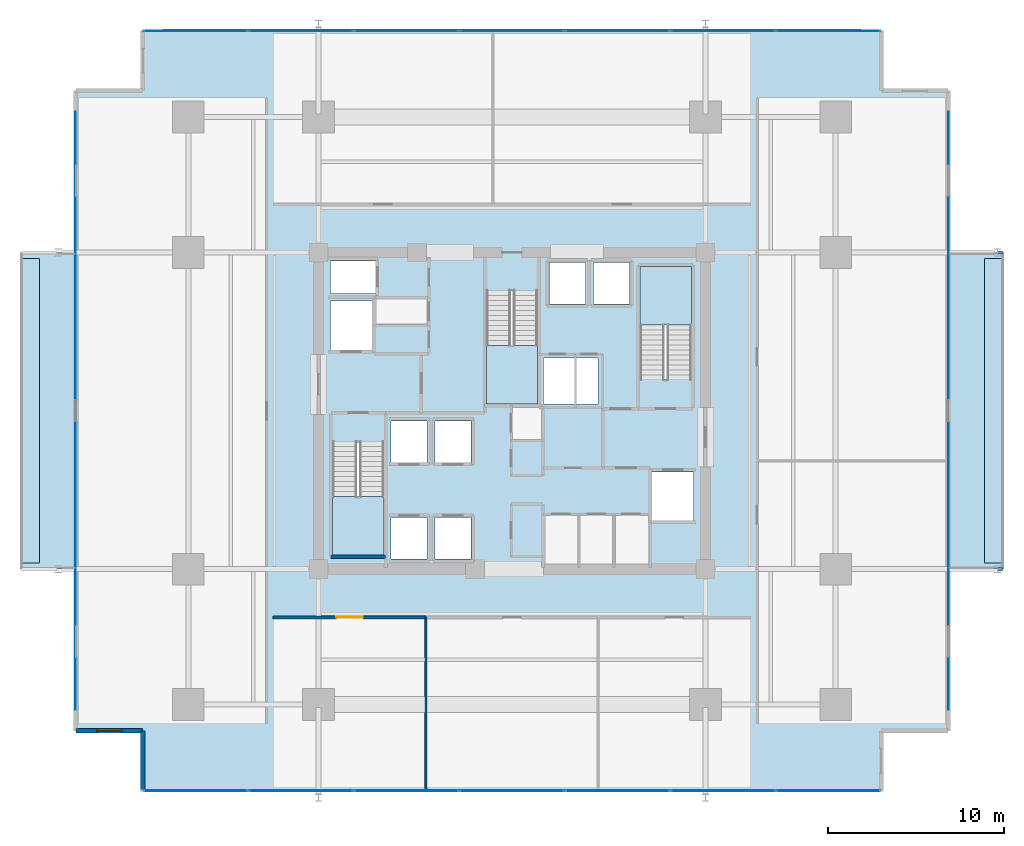
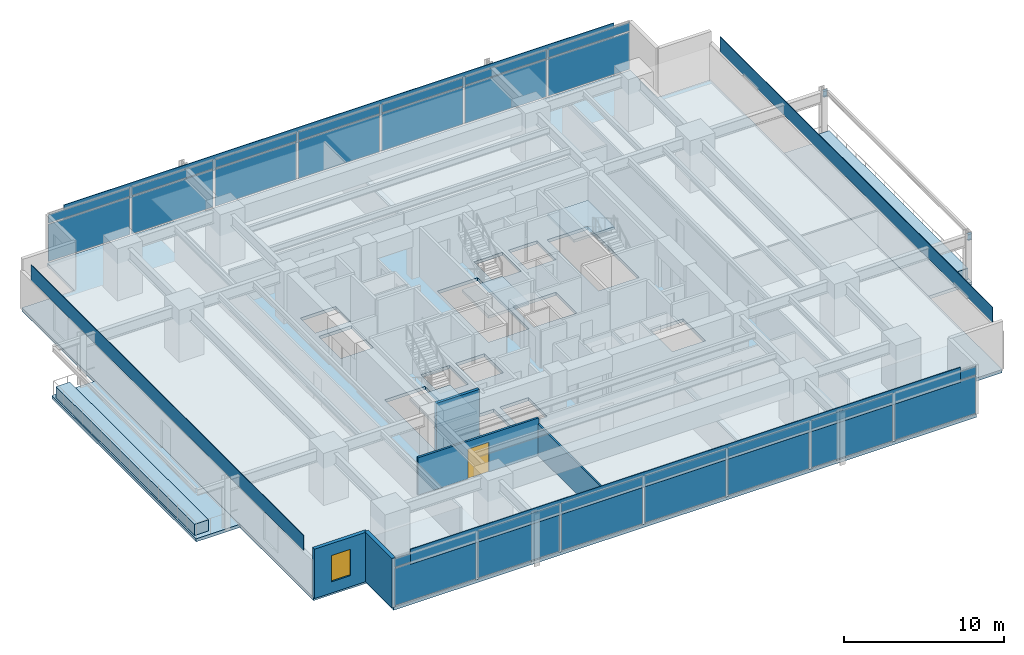
# One storey, part 13 of 21: 32 plates, 8 slabs, 5 walls, 2 beams, 1 door, 1 window, 2 openings, 5 elements without a shape of their own.
"""IFC4 building model written with IfcOpenShell, lengths in metres."""

from ifc_helpers import new_model, si_unit, direction, frame, frame_2d, origin, origin_2d, place, context, subcontext, project, spatial, polyline, rectangle, i_section, outline, extrude, material, layer, layer_set, material_profile, profile_set, type_object, element, fill, aggregate, save


model = new_model("IFC4")

# Units and contexts
model_context = context("Model", 3, precision=1e-05, world=origin(), true_north=direction((0.0, 1.0)))
body_context = subcontext(model_context, "Body", "Model", "MODEL_VIEW")
ifc_project = project(units=[si_unit("LENGTHUNIT", "METRE"), si_unit("AREAUNIT", "SQUARE_METRE"), si_unit("VOLUMEUNIT", "CUBIC_METRE"), si_unit("PLANEANGLEUNIT", "RADIAN"), si_unit("MASSUNIT", "GRAM", prefix="KILO")], contexts=[model_context])

# Site, building, storey
site_placement = place(None, origin())
site = spatial("IfcSite", under=ifc_project, at=site_placement, CompositionType="ELEMENT")
building_placement = place(site_placement, origin())
building = spatial("IfcBuilding", under=site, at=building_placement, Name="Kovane Verandah Tower", CompositionType="ELEMENT")
storey_placement = place(building_placement, frame((0.0, 0.0, 27.60009765625)))
storey = spatial("IfcBuildingStorey", under=building, at=storey_placement, Name="L05", CompositionType="ELEMENT", Elevation=27.60009765625)

# Beams
ifc_material_1 = material(Name="Steel S355", Category="steel")
ifc_material_profile = material_profile(ifc_material_1, i_section(OverallWidth=0.19287109375, OverallDepth=0.46728515625, WebThickness=0.011474609375, FlangeThickness=0.01953125, FilletRadius=0.01025390625, at=origin_2d()), Name="UB457x191x98")
ifc_profile_set = profile_set([ifc_material_profile], Name="Steel S355")
beam_type = type_object("IfcBeamType", Name="JST-UB457x98", PredefinedType="JOIST", material=ifc_profile_set)
for number, where, z_axis, x_axis, name in (
    (1, (67.60009765625, 18.5, 3.5263671875), (1.0, 0.0, 0.0), (0.0, 1.0, 0.0), "L05 East Planter Girder 1"),
    (2, (67.60009765625, 36.5, 3.5263671875), (1.0, 0.0, 0.0), (0.0, 1.0, 0.0), "L05 East Planter Girder 2"),
):
    element("IfcBeam", number, at=place(storey_placement, frame(where, z_axis=z_axis, x_axis=x_axis)), inside=storey, type_object=beam_type, Name=name, PredefinedType="JOIST", context=body_context, shape_type="SweptSolid", body=[
        extrude(i_section(OverallWidth=0.19287109375, OverallDepth=0.46728515625, WebThickness=0.011474609375, FlangeThickness=0.01953125, FilletRadius=0.01025390625, at=origin_2d()), origin(), (0.0, 0.0, 1.0), 0.28564453125),
    ])

# Curtain wall, plates
ifc_material_2 = material(Name="Champagne Anodised Aluminium Frame with Low-E Clear Laminated Glass", Category="aluminium")
curtain_wall_type = type_object("IfcCurtainWallType", Name="CW-SYS-02-LOW", PredefinedType="NOTDEFINED", material=ifc_material_2)
curtain_wall_1_placement = place(storey_placement, origin())
curtain_wall_1 = element("IfcCurtainWall", 3, at=curtain_wall_1_placement, inside=storey, type_object=curtain_wall_type, Name="L05 S Unitised Curtain Wall", PredefinedType="NOTDEFINED")
ifc_material_3 = material(Name="Pale Champagne Anodised Aluminium Insulated Spandrel", Category="aluminium")
ifc_layer_1 = layer(ifc_material_3, 0.0400390625)
ifc_layer_set_1 = layer_set([ifc_layer_1], Name="Pale Champagne Anodised Aluminium Insulated Spandrel")
plate_type_1 = type_object("IfcPlateType", Name="PL-CW-SPD-40", PredefinedType="SHEET", material=ifc_layer_set_1)
plate_1_placement = place(storey_placement, frame((22.0, 5.89990234375, 3.02978515625), z_axis=(0.0, 0.0, 1.0), x_axis=(1.0, 0.0, 0.0)))
plate_1 = element("IfcPlate", 4, at=plate_1_placement, type_object=plate_type_1, Name="L05 S Unitised Curtain Wall Spandrel Panel 1", PredefinedType="SHEET", context=body_context, shape_type="SweptSolid", body=[
    extrude(rectangle(XDim=5.860107421875, YDim=0.0400390625, at=origin_2d()), origin(), (0.0, 0.0, 1.0), 0.639892578125),
])
plate_2_placement = place(storey_placement, frame((28.0, 5.89990234375, 3.02978515625), z_axis=(0.0, 0.0, 1.0), x_axis=(1.0, 0.0, 0.0)))
plate_2 = element("IfcPlate", 5, at=plate_2_placement, type_object=plate_type_1, Name="L05 S Unitised Curtain Wall Spandrel Panel 2", PredefinedType="SHEET", context=body_context, shape_type="SweptSolid", body=[
    extrude(rectangle(XDim=5.860107421875, YDim=0.0400390625, at=origin_2d()), origin(), (0.0, 0.0, 1.0), 0.639892578125),
])
plate_3_placement = place(storey_placement, frame((34.0, 5.89990234375, 3.02978515625), z_axis=(0.0, 0.0, 1.0), x_axis=(1.0, 0.0, 0.0)))
plate_3 = element("IfcPlate", 6, at=plate_3_placement, type_object=plate_type_1, Name="L05 S Unitised Curtain Wall Spandrel Panel 3", PredefinedType="SHEET", context=body_context, shape_type="SweptSolid", body=[
    extrude(rectangle(XDim=5.860107421875, YDim=0.0400390625, at=origin_2d()), origin(), (0.0, 0.0, 1.0), 0.639892578125),
])
plate_4_placement = place(storey_placement, frame((40.0, 5.89990234375, 3.02978515625), z_axis=(0.0, 0.0, 1.0), x_axis=(1.0, 0.0, 0.0)))
plate_4 = element("IfcPlate", 7, at=plate_4_placement, type_object=plate_type_1, Name="L05 S Unitised Curtain Wall Spandrel Panel 4", PredefinedType="SHEET", context=body_context, shape_type="SweptSolid", body=[
    extrude(rectangle(XDim=5.860107421875, YDim=0.0400390625, at=origin_2d()), origin(), (0.0, 0.0, 1.0), 0.639892578125),
])
plate_5_placement = place(storey_placement, frame((46.0, 5.89990234375, 3.02978515625), z_axis=(0.0, 0.0, 1.0), x_axis=(1.0, 0.0, 0.0)))
plate_5 = element("IfcPlate", 8, at=plate_5_placement, type_object=plate_type_1, Name="L05 S Unitised Curtain Wall Spandrel Panel 5", PredefinedType="SHEET", context=body_context, shape_type="SweptSolid", body=[
    extrude(rectangle(XDim=5.860107421875, YDim=0.0400390625, at=origin_2d()), origin(), (0.0, 0.0, 1.0), 0.639892578125),
])
plate_6_placement = place(storey_placement, frame((52.0, 5.89990234375, 3.02978515625), z_axis=(0.0, 0.0, 1.0), x_axis=(1.0, 0.0, 0.0)))
plate_6 = element("IfcPlate", 9, at=plate_6_placement, type_object=plate_type_1, Name="L05 S Unitised Curtain Wall Spandrel Panel 6", PredefinedType="SHEET", context=body_context, shape_type="SweptSolid", body=[
    extrude(rectangle(XDim=5.860107421875, YDim=0.0400390625, at=origin_2d()), origin(), (0.0, 0.0, 1.0), 0.639892578125),
])
plate_7_placement = place(storey_placement, frame((58.0, 5.89990234375, 3.02978515625), z_axis=(0.0, 0.0, 1.0), x_axis=(1.0, 0.0, 0.0)))
plate_7 = element("IfcPlate", 10, at=plate_7_placement, type_object=plate_type_1, Name="L05 S Unitised Curtain Wall Spandrel Panel 7", PredefinedType="SHEET", context=body_context, shape_type="SweptSolid", body=[
    extrude(rectangle(XDim=5.860107421875, YDim=0.0400390625, at=origin_2d()), origin(), (0.0, 0.0, 1.0), 0.639892578125),
])

curtain_wall_2_placement = place(storey_placement, origin())
curtain_wall_2 = element("IfcCurtainWall", 11, at=curtain_wall_2_placement, inside=storey, type_object=curtain_wall_type, Name="L05 N Unitised Curtain Wall", PredefinedType="NOTDEFINED")
plate_8_placement = place(storey_placement, frame((58.0, 49.10009765625, 3.02978515625), z_axis=(0.0, 0.0, 1.0), x_axis=(-1.0, 0.0, 0.0)))
plate_8 = element("IfcPlate", 12, at=plate_8_placement, type_object=plate_type_1, Name="L05 N Unitised Curtain Wall Spandrel Panel 1", PredefinedType="SHEET", context=body_context, shape_type="SweptSolid", body=[
    extrude(rectangle(XDim=5.860107421875, YDim=0.0400390625, at=origin_2d()), origin(), (0.0, 0.0, 1.0), 0.639892578125),
])
plate_9_placement = place(storey_placement, frame((52.0, 49.10009765625, 3.02978515625), z_axis=(0.0, 0.0, 1.0), x_axis=(-1.0, 0.0, 0.0)))
plate_9 = element("IfcPlate", 13, at=plate_9_placement, type_object=plate_type_1, Name="L05 N Unitised Curtain Wall Spandrel Panel 2", PredefinedType="SHEET", context=body_context, shape_type="SweptSolid", body=[
    extrude(rectangle(XDim=5.860107421875, YDim=0.0400390625, at=origin_2d()), origin(), (0.0, 0.0, 1.0), 0.639892578125),
])
plate_10_placement = place(storey_placement, frame((46.0, 49.10009765625, 3.02978515625), z_axis=(0.0, 0.0, 1.0), x_axis=(-1.0, 0.0, 0.0)))
plate_10 = element("IfcPlate", 14, at=plate_10_placement, type_object=plate_type_1, Name="L05 N Unitised Curtain Wall Spandrel Panel 3", PredefinedType="SHEET", context=body_context, shape_type="SweptSolid", body=[
    extrude(rectangle(XDim=5.860107421875, YDim=0.0400390625, at=origin_2d()), origin(), (0.0, 0.0, 1.0), 0.639892578125),
])
plate_11_placement = place(storey_placement, frame((40.0, 49.10009765625, 3.02978515625), z_axis=(0.0, 0.0, 1.0), x_axis=(-1.0, 0.0, 0.0)))
plate_11 = element("IfcPlate", 15, at=plate_11_placement, type_object=plate_type_1, Name="L05 N Unitised Curtain Wall Spandrel Panel 4", PredefinedType="SHEET", context=body_context, shape_type="SweptSolid", body=[
    extrude(rectangle(XDim=5.860107421875, YDim=0.0400390625, at=origin_2d()), origin(), (0.0, 0.0, 1.0), 0.639892578125),
])
plate_12_placement = place(storey_placement, frame((34.0, 49.10009765625, 3.02978515625), z_axis=(0.0, 0.0, 1.0), x_axis=(-1.0, 0.0, 0.0)))
plate_12 = element("IfcPlate", 16, at=plate_12_placement, type_object=plate_type_1, Name="L05 N Unitised Curtain Wall Spandrel Panel 5", PredefinedType="SHEET", context=body_context, shape_type="SweptSolid", body=[
    extrude(rectangle(XDim=5.860107421875, YDim=0.0400390625, at=origin_2d()), origin(), (0.0, 0.0, 1.0), 0.639892578125),
])
plate_13_placement = place(storey_placement, frame((28.0, 49.10009765625, 3.02978515625), z_axis=(0.0, 0.0, 1.0), x_axis=(-1.0, 0.0, 0.0)))
plate_13 = element("IfcPlate", 17, at=plate_13_placement, type_object=plate_type_1, Name="L05 N Unitised Curtain Wall Spandrel Panel 6", PredefinedType="SHEET", context=body_context, shape_type="SweptSolid", body=[
    extrude(rectangle(XDim=5.860107421875, YDim=0.0400390625, at=origin_2d()), origin(), (0.0, 0.0, 1.0), 0.639892578125),
])
plate_14_placement = place(storey_placement, frame((22.0, 49.10009765625, 3.02978515625), z_axis=(0.0, 0.0, 1.0), x_axis=(-1.0, 0.0, 0.0)))
plate_14 = element("IfcPlate", 18, at=plate_14_placement, type_object=plate_type_1, Name="L05 N Unitised Curtain Wall Spandrel Panel 7", PredefinedType="SHEET", context=body_context, shape_type="SweptSolid", body=[
    extrude(rectangle(XDim=5.860107421875, YDim=0.0400390625, at=origin_2d()), origin(), (0.0, 0.0, 1.0), 0.639892578125),
])

# Plate
ifc_material_4 = material(Name="Clear Low-E Laminated Double Glazing", Category="glass")
ifc_layer_2 = layer(ifc_material_4, 0.031982421875)
ifc_layer_set_2 = layer_set([ifc_layer_2], Name="Clear Low-E Laminated Double Glazing")
plate_type_2 = type_object("IfcPlateType", Name="PL-CW-VIS-32", PredefinedType="CURTAIN_PANEL", material=ifc_layer_set_2)
plate_15_placement = place(storey_placement, frame((22.0, 5.89990234375, 0.099853515625), z_axis=(0.0, 0.0, 1.0), x_axis=(1.0, 0.0, 0.0)))
plate_15 = element("IfcPlate", 19, at=plate_15_placement, type_object=plate_type_2, Name="L05 S Unitised Curtain Wall Vision Panel 1", PredefinedType="CURTAIN_PANEL", context=body_context, shape_type="SweptSolid", body=[
    extrude(rectangle(XDim=5.860107421875, YDim=0.031982421875, at=origin_2d()), origin(), (0.0, 0.0, 1.0), 2.830078125),
])

plate_16_placement = place(storey_placement, frame((28.0, 5.89990234375, 0.099853515625), z_axis=(0.0, 0.0, 1.0), x_axis=(1.0, 0.0, 0.0)))
plate_16 = element("IfcPlate", 20, at=plate_16_placement, type_object=plate_type_2, Name="L05 S Unitised Curtain Wall Vision Panel 2", PredefinedType="CURTAIN_PANEL", context=body_context, shape_type="SweptSolid", body=[
    extrude(rectangle(XDim=5.860107421875, YDim=0.031982421875, at=origin_2d()), origin(), (0.0, 0.0, 1.0), 2.830078125),
])

plate_17_placement = place(storey_placement, frame((34.0, 5.89990234375, 0.099853515625), z_axis=(0.0, 0.0, 1.0), x_axis=(1.0, 0.0, 0.0)))
plate_17 = element("IfcPlate", 21, at=plate_17_placement, type_object=plate_type_2, Name="L05 S Unitised Curtain Wall Vision Panel 3", PredefinedType="CURTAIN_PANEL", context=body_context, shape_type="SweptSolid", body=[
    extrude(rectangle(XDim=5.860107421875, YDim=0.031982421875, at=origin_2d()), origin(), (0.0, 0.0, 1.0), 2.830078125),
])

plate_18_placement = place(storey_placement, frame((40.0, 5.89990234375, 0.099853515625), z_axis=(0.0, 0.0, 1.0), x_axis=(1.0, 0.0, 0.0)))
plate_18 = element("IfcPlate", 22, at=plate_18_placement, type_object=plate_type_2, Name="L05 S Unitised Curtain Wall Vision Panel 4", PredefinedType="CURTAIN_PANEL", context=body_context, shape_type="SweptSolid", body=[
    extrude(rectangle(XDim=5.860107421875, YDim=0.031982421875, at=origin_2d()), origin(), (0.0, 0.0, 1.0), 2.830078125),
])

plate_19_placement = place(storey_placement, frame((46.0, 5.89990234375, 0.099853515625), z_axis=(0.0, 0.0, 1.0), x_axis=(1.0, 0.0, 0.0)))
plate_19 = element("IfcPlate", 23, at=plate_19_placement, type_object=plate_type_2, Name="L05 S Unitised Curtain Wall Vision Panel 5", PredefinedType="CURTAIN_PANEL", context=body_context, shape_type="SweptSolid", body=[
    extrude(rectangle(XDim=5.860107421875, YDim=0.031982421875, at=origin_2d()), origin(), (0.0, 0.0, 1.0), 2.830078125),
])

plate_20_placement = place(storey_placement, frame((52.0, 5.89990234375, 0.099853515625), z_axis=(0.0, 0.0, 1.0), x_axis=(1.0, 0.0, 0.0)))
plate_20 = element("IfcPlate", 24, at=plate_20_placement, type_object=plate_type_2, Name="L05 S Unitised Curtain Wall Vision Panel 6", PredefinedType="CURTAIN_PANEL", context=body_context, shape_type="SweptSolid", body=[
    extrude(rectangle(XDim=5.860107421875, YDim=0.031982421875, at=origin_2d()), origin(), (0.0, 0.0, 1.0), 2.830078125),
])

plate_21_placement = place(storey_placement, frame((58.0, 5.89990234375, 0.099853515625), z_axis=(0.0, 0.0, 1.0), x_axis=(1.0, 0.0, 0.0)))
plate_21 = element("IfcPlate", 25, at=plate_21_placement, type_object=plate_type_2, Name="L05 S Unitised Curtain Wall Vision Panel 7", PredefinedType="CURTAIN_PANEL", context=body_context, shape_type="SweptSolid", body=[
    extrude(rectangle(XDim=5.860107421875, YDim=0.031982421875, at=origin_2d()), origin(), (0.0, 0.0, 1.0), 2.830078125),
])

aggregate(curtain_wall_1, [plate_15, plate_1, plate_16, plate_2, plate_17, plate_3, plate_18, plate_4, plate_19, plate_5, plate_20, plate_6, plate_21, plate_7])

plate_22_placement = place(storey_placement, frame((58.0, 49.10009765625, 0.099853515625), z_axis=(0.0, 0.0, 1.0), x_axis=(-1.0, 0.0, 0.0)))
plate_22 = element("IfcPlate", 26, at=plate_22_placement, type_object=plate_type_2, Name="L05 N Unitised Curtain Wall Vision Panel 1", PredefinedType="CURTAIN_PANEL", context=body_context, shape_type="SweptSolid", body=[
    extrude(rectangle(XDim=5.860107421875, YDim=0.031982421875, at=origin_2d()), origin(), (0.0, 0.0, 1.0), 2.830078125),
])

plate_23_placement = place(storey_placement, frame((52.0, 49.10009765625, 0.099853515625), z_axis=(0.0, 0.0, 1.0), x_axis=(-1.0, 0.0, 0.0)))
plate_23 = element("IfcPlate", 27, at=plate_23_placement, type_object=plate_type_2, Name="L05 N Unitised Curtain Wall Vision Panel 2", PredefinedType="CURTAIN_PANEL", context=body_context, shape_type="SweptSolid", body=[
    extrude(rectangle(XDim=5.860107421875, YDim=0.031982421875, at=origin_2d()), origin(), (0.0, 0.0, 1.0), 2.830078125),
])

plate_24_placement = place(storey_placement, frame((46.0, 49.10009765625, 0.099853515625), z_axis=(0.0, 0.0, 1.0), x_axis=(-1.0, 0.0, 0.0)))
plate_24 = element("IfcPlate", 28, at=plate_24_placement, type_object=plate_type_2, Name="L05 N Unitised Curtain Wall Vision Panel 3", PredefinedType="CURTAIN_PANEL", context=body_context, shape_type="SweptSolid", body=[
    extrude(rectangle(XDim=5.860107421875, YDim=0.031982421875, at=origin_2d()), origin(), (0.0, 0.0, 1.0), 2.830078125),
])

plate_25_placement = place(storey_placement, frame((40.0, 49.10009765625, 0.099853515625), z_axis=(0.0, 0.0, 1.0), x_axis=(-1.0, 0.0, 0.0)))
plate_25 = element("IfcPlate", 29, at=plate_25_placement, type_object=plate_type_2, Name="L05 N Unitised Curtain Wall Vision Panel 4", PredefinedType="CURTAIN_PANEL", context=body_context, shape_type="SweptSolid", body=[
    extrude(rectangle(XDim=5.860107421875, YDim=0.031982421875, at=origin_2d()), origin(), (0.0, 0.0, 1.0), 2.830078125),
])

plate_26_placement = place(storey_placement, frame((34.0, 49.10009765625, 0.099853515625), z_axis=(0.0, 0.0, 1.0), x_axis=(-1.0, 0.0, 0.0)))
plate_26 = element("IfcPlate", 30, at=plate_26_placement, type_object=plate_type_2, Name="L05 N Unitised Curtain Wall Vision Panel 5", PredefinedType="CURTAIN_PANEL", context=body_context, shape_type="SweptSolid", body=[
    extrude(rectangle(XDim=5.860107421875, YDim=0.031982421875, at=origin_2d()), origin(), (0.0, 0.0, 1.0), 2.830078125),
])

plate_27_placement = place(storey_placement, frame((28.0, 49.10009765625, 0.099853515625), z_axis=(0.0, 0.0, 1.0), x_axis=(-1.0, 0.0, 0.0)))
plate_27 = element("IfcPlate", 31, at=plate_27_placement, type_object=plate_type_2, Name="L05 N Unitised Curtain Wall Vision Panel 6", PredefinedType="CURTAIN_PANEL", context=body_context, shape_type="SweptSolid", body=[
    extrude(rectangle(XDim=5.860107421875, YDim=0.031982421875, at=origin_2d()), origin(), (0.0, 0.0, 1.0), 2.830078125),
])

plate_28_placement = place(storey_placement, frame((22.0, 49.10009765625, 0.099853515625), z_axis=(0.0, 0.0, 1.0), x_axis=(-1.0, 0.0, 0.0)))
plate_28 = element("IfcPlate", 32, at=plate_28_placement, type_object=plate_type_2, Name="L05 N Unitised Curtain Wall Vision Panel 7", PredefinedType="CURTAIN_PANEL", context=body_context, shape_type="SweptSolid", body=[
    extrude(rectangle(XDim=5.860107421875, YDim=0.031982421875, at=origin_2d()), origin(), (0.0, 0.0, 1.0), 2.830078125),
])

aggregate(curtain_wall_2, [plate_22, plate_8, plate_23, plate_9, plate_24, plate_10, plate_25, plate_11, plate_26, plate_12, plate_27, plate_13, plate_28, plate_14])

# Plates
ifc_material_5 = material(Name="Perforated Pale Champagne Anodised Aluminium Solar Screen", Category="aluminium")
ifc_layer_3 = layer(ifc_material_5, 0.050048828125)
ifc_layer_set_3 = layer_set([ifc_layer_3], Name="Perforated Pale Champagne Anodised Aluminium Solar Screen")
plate_type_3 = type_object("IfcPlateType", Name="PL-SCREEN-50", PredefinedType="USERDEFINED", material=ifc_layer_set_3)
plate_29_placement = place(storey_placement, frame((40.0, 5.885009765625, 2.85986328125), z_axis=(0.0, 0.0, 1.0), x_axis=(1.0, 0.0, 0.0)))
element("IfcPlate", 33, at=plate_29_placement, inside=storey, type_object=plate_type_3, Name="L05 S Perforated Champagne-Gold Solar Screen", ObjectType="SCREEN", PredefinedType="USERDEFINED", context=body_context, shape_type="SweptSolid", body=[
    extrude(rectangle(XDim=39.60009765625, YDim=0.050048828125, at=origin_2d()), origin(), (0.0, 0.0, 1.0), 1.14990234375),
])
plate_30_placement = place(storey_placement, frame((64.81494140625, 27.5, 2.85986328125), z_axis=(0.0, 0.0, 1.0), x_axis=(0.0, 1.0, 0.0)))
element("IfcPlate", 34, at=plate_30_placement, inside=storey, type_object=plate_type_3, Name="L05 E Perforated Champagne-Gold Solar Screen", ObjectType="SCREEN", PredefinedType="USERDEFINED", context=body_context, shape_type="SweptSolid", body=[
    extrude(rectangle(XDim=34.0, YDim=0.050048828125, at=origin_2d()), origin(), (0.0, 0.0, 1.0), 1.14990234375),
])
plate_31_placement = place(storey_placement, frame((40.0, 49.114990234375, 2.85986328125), z_axis=(0.0, 0.0, 1.0), x_axis=(-1.0, 0.0, 0.0)))
element("IfcPlate", 35, at=plate_31_placement, inside=storey, type_object=plate_type_3, Name="L05 N Perforated Champagne-Gold Solar Screen", ObjectType="SCREEN", PredefinedType="USERDEFINED", context=body_context, shape_type="SweptSolid", body=[
    extrude(rectangle(XDim=39.60009765625, YDim=0.050048828125, at=origin_2d()), origin(), (0.0, 0.0, 1.0), 1.14990234375),
])
plate_32_placement = place(storey_placement, frame((15.18505859375, 27.5, 2.85986328125), z_axis=(0.0, 0.0, 1.0), x_axis=(0.0, -1.0, 0.0)))
element("IfcPlate", 36, at=plate_32_placement, inside=storey, type_object=plate_type_3, Name="L05 W Perforated Champagne-Gold Solar Screen", ObjectType="SCREEN", PredefinedType="USERDEFINED", context=body_context, shape_type="SweptSolid", body=[
    extrude(rectangle(XDim=34.0, YDim=0.050048828125, at=origin_2d()), origin(), (0.0, 0.0, 1.0), 1.14990234375),
])

# Slabs
ifc_material_6 = material(Name="Concrete C45/55", Category="concrete")
ifc_layer_4 = layer(ifc_material_6, 0.239990234375)
ifc_layer_set_4 = layer_set([ifc_layer_4], Name="Concrete C45/55")
slab_type_1 = type_object("IfcSlabType", Name="SL-BALC-240", PredefinedType="FLOOR", material=ifc_layer_set_4)
slab_1_placement = place(storey_placement, frame((0.0, 0.0, -0.239990234375)))
element("IfcSlab", 37, at=slab_1_placement, inside=storey, type_object=slab_type_1, Name="L05 E Planted Verandah Balcony Slab", PredefinedType="FLOOR", context=body_context, shape_type="SweptSolid", body=[
    extrude(outline(polyline([(64.800048828125, 18.5), (67.949951171875, 18.5), (67.949951171875, 36.5), (64.800048828125, 36.5), (64.800048828125, 18.5)])), origin(), (0.0, 0.0, 1.0), 0.239990234375),
])
slab_2_placement = place(storey_placement, frame((0.0, 0.0, -0.239990234375)))
element("IfcSlab", 38, at=slab_2_placement, inside=storey, type_object=slab_type_1, Name="L05 W Planted Verandah Balcony Slab", PredefinedType="FLOOR", context=body_context, shape_type="SweptSolid", body=[
    extrude(outline(polyline([(12.050048828125, 18.5), (15.199951171875, 18.5), (15.199951171875, 36.5), (12.050048828125, 36.5), (12.050048828125, 18.5)])), origin(), (0.0, 0.0, 1.0), 0.239990234375),
])

# Stair, slab
stair_type = type_object("IfcStairType", Name="ST-CORE-1380", PredefinedType="HALF_TURN_STAIR", material=ifc_material_6)
stair_1_placement = place(storey_placement, origin())
stair_1 = element("IfcStair", 39, at=stair_1_placement, inside=storey, type_object=stair_type, Name="L05 Exit Stair ST-01", PredefinedType="HALF_TURN_STAIR")
ifc_layer_5 = layer(ifc_material_6, 0.199951171875)
ifc_layer_set_5 = layer_set([ifc_layer_5], Name="Concrete C45/55")
slab_type_2 = type_object("IfcSlabType", Name="SL-LAND-200", PredefinedType="LANDING", material=ifc_layer_set_5)
slab_3_placement = place(storey_placement, frame((0.0, 0.0, 1.7998046875)))
slab_3 = element("IfcSlab", 40, at=slab_3_placement, type_object=slab_type_2, Name="ST-01 landing 1", PredefinedType="LANDING", context=body_context, shape_type="SweptSolid", body=[
    extrude(outline(polyline([(29.800048828125, 22.614990234375), (29.800048828125, 19.300048828125), (32.719970703125, 19.300048828125), (32.719970703125, 22.614990234375), (29.800048828125, 22.614990234375)])), origin(), (0.0, 0.0, 1.0), 0.2001953125),
])
aggregate(stair_1, [slab_3])

stair_2_placement = place(storey_placement, origin())
stair_2 = element("IfcStair", 41, at=stair_2_placement, inside=storey, type_object=stair_type, Name="L05 Exit Stair ST-02", PredefinedType="HALF_TURN_STAIR")
slab_4_placement = place(storey_placement, frame((0.0, 0.0, 1.7998046875)))
slab_4 = element("IfcSlab", 42, at=slab_4_placement, type_object=slab_type_2, Name="ST-02 landing 1", PredefinedType="LANDING", context=body_context, shape_type="SweptSolid", body=[
    extrude(outline(polyline([(50.199951171875, 32.385009765625), (50.199951171875, 35.699951171875), (47.280029296875, 35.699951171875), (47.280029296875, 32.385009765625), (50.199951171875, 32.385009765625)])), origin(), (0.0, 0.0, 1.0), 0.2001953125),
])
aggregate(stair_2, [slab_4])

stair_3_placement = place(storey_placement, origin())
stair_3 = element("IfcStair", 43, at=stair_3_placement, inside=storey, type_object=stair_type, Name="L05 Exit Stair ST-03", PredefinedType="HALF_TURN_STAIR")
slab_5_placement = place(storey_placement, frame((0.0, 0.0, 1.7998046875)))
slab_5 = element("IfcSlab", 44, at=slab_5_placement, type_object=slab_type_2, Name="ST-03 landing 1", PredefinedType="LANDING", context=body_context, shape_type="SweptSolid", body=[
    extrude(outline(polyline([(38.5400390625, 31.215087890625), (38.5400390625, 27.89990234375), (41.4599609375, 27.89990234375), (41.4599609375, 31.215087890625), (38.5400390625, 31.215087890625)])), origin(), (0.0, 0.0, 1.0), 0.2001953125),
])
aggregate(stair_3, [slab_5])

# Slabs
ifc_material_7 = material(Name="Architectural Precast Concrete C45/55 Planter Trough", Category="concrete")
ifc_layer_6 = layer(ifc_material_7, 0.219970703125)
ifc_layer_set_6 = layer_set([ifc_layer_6], Name="Architectural Precast Concrete C45/55 Planter Trough")
slab_type_3 = type_object("IfcSlabType", Name="SL-PLANTER-220", PredefinedType="USERDEFINED", material=ifc_layer_set_6)
slab_6_placement = place(storey_placement, origin())
element("IfcSlab", 45, at=slab_6_placement, inside=storey, type_object=slab_type_3, Name="L05 E Structural Tree Planter", ObjectType="PLANTER", PredefinedType="USERDEFINED", context=body_context, shape_type="SweptSolid", body=[
    extrude(outline(polyline([(66.85009765625, 18.85009765625), (67.85009765625, 18.85009765625), (67.85009765625, 36.14990234375), (66.85009765625, 36.14990234375), (66.85009765625, 18.85009765625)])), origin(), (0.0, 0.0, 1.0), 0.849853515625),
])
slab_7_placement = place(storey_placement, origin())
element("IfcSlab", 46, at=slab_7_placement, inside=storey, type_object=slab_type_3, Name="L05 W Structural Tree Planter", ObjectType="PLANTER", PredefinedType="USERDEFINED", context=body_context, shape_type="SweptSolid", body=[
    extrude(outline(polyline([(12.14990234375, 18.85009765625), (13.14990234375, 18.85009765625), (13.14990234375, 36.14990234375), (12.14990234375, 36.14990234375), (12.14990234375, 18.85009765625)])), origin(), (0.0, 0.0, 1.0), 0.849853515625),
])
ifc_layer_7 = layer(ifc_material_6, 0.239990234375)
ifc_layer_set_7 = layer_set([ifc_layer_7], Name="Concrete C45/55")
slab_type_4 = type_object("IfcSlabType", Name="SL-TYP-240", PredefinedType="FLOOR", material=ifc_layer_set_7)
slab_8_placement = place(storey_placement, frame((0.0, 0.0, -0.239990234375)))
element("IfcSlab", 47, at=slab_8_placement, inside=storey, type_object=slab_type_4, Name="L05 Structural Floor Slab", PredefinedType="FLOOR", context=body_context, shape_type="SweptSolid", body=[
    extrude(outline(polyline([(19.0, 5.89990234375), (61.0, 5.89990234375), (61.0, 9.300048828125), (64.800048828125, 9.300048828125), (64.800048828125, 45.699951171875), (61.0, 45.699951171875), (61.0, 49.10009765625), (19.0, 49.10009765625), (19.0, 45.699951171875), (15.199951171875, 45.699951171875), (15.199951171875, 9.300048828125), (19.0, 9.300048828125), (19.0, 5.89990234375)]), holes=[polyline([(29.800048828125, 19.300048828125), (32.719970703125, 19.300048828125), (32.719970703125, 25.705078125), (29.800048828125, 25.705078125), (29.800048828125, 19.300048828125)]), polyline([(47.280029296875, 29.294921875), (50.199951171875, 29.294921875), (50.199951171875, 35.699951171875), (47.280029296875, 35.699951171875), (47.280029296875, 29.294921875)]), polyline([(38.5400390625, 27.89990234375), (41.4599609375, 27.89990234375), (41.4599609375, 34.304931640625), (38.5400390625, 34.304931640625), (38.5400390625, 27.89990234375)]), polyline([(29.669921875, 30.969970703125), (32.030029296875, 30.969970703125), (32.030029296875, 33.72998046875), (29.669921875, 33.72998046875), (29.669921875, 30.969970703125)]), polyline([(47.969970703125, 21.27001953125), (50.330078125, 21.27001953125), (50.330078125, 24.030029296875), (47.969970703125, 24.030029296875), (47.969970703125, 21.27001953125)]), polyline([(29.669921875, 34.169921875), (32.22998046875, 34.169921875), (32.22998046875, 36.030029296875), (29.669921875, 36.030029296875), (29.669921875, 34.169921875)]), polyline([(33.1201171875, 19.070068359375), (35.179931640625, 19.070068359375), (35.179931640625, 21.429931640625), (33.1201171875, 21.429931640625), (33.1201171875, 19.070068359375)]), polyline([(35.6201171875, 19.070068359375), (37.679931640625, 19.070068359375), (37.679931640625, 21.429931640625), (35.6201171875, 21.429931640625), (35.6201171875, 19.070068359375)]), polyline([(33.1201171875, 24.570068359375), (35.179931640625, 24.570068359375), (35.179931640625, 26.929931640625), (33.1201171875, 26.929931640625), (33.1201171875, 24.570068359375)]), polyline([(35.6201171875, 24.570068359375), (37.679931640625, 24.570068359375), (37.679931640625, 26.929931640625), (35.6201171875, 26.929931640625), (35.6201171875, 24.570068359375)]), polyline([(42.1201171875, 33.570068359375), (44.179931640625, 33.570068359375), (44.179931640625, 35.929931640625), (42.1201171875, 35.929931640625), (42.1201171875, 33.570068359375)]), polyline([(44.6201171875, 33.570068359375), (46.679931640625, 33.570068359375), (46.679931640625, 35.929931640625), (44.6201171875, 35.929931640625), (44.6201171875, 33.570068359375)]), polyline([(41.800048828125, 27.89990234375), (44.89990234375, 27.89990234375), (44.89990234375, 30.5), (41.800048828125, 30.5), (41.800048828125, 27.89990234375)])]), origin(), (0.0, 0.0, 1.0), 0.239990234375),
])

# Wall, opening, door
ifc_material_8 = material(Name="Fire-Rated Gypsum Stud Partition", Category="gypsum")
ifc_layer_8 = layer(ifc_material_8, 0.14990234375)
ifc_layer_set_8 = layer_set([ifc_layer_8], Name="Fire-Rated Gypsum Stud Partition")
wall_type_1 = type_object("IfcWallType", Name="WL-COR-150", PredefinedType="PARTITIONING", material=ifc_layer_set_8)
wall_1_placement = place(storey_placement, frame((26.39990234375, 15.75, 0.0), z_axis=(0.0, 0.0, 1.0), x_axis=(1.0, 0.0, 0.0)))
wall_1 = element("IfcWall", 48, at=wall_1_placement, inside=storey, type_object=wall_type_1, Name="L05 Client Boardroom S1 Corridor Partition", PredefinedType="PARTITIONING", context=body_context, shape_type="SweptSolid", body=[
    extrude(rectangle(XDim=8.7041015625, YDim=0.14990234375, at=frame_2d((4.35205078125, 0.0))), origin(), (0.0, 0.0, 1.0), 2.849853515625),
])
opening_1_placement = place(wall_1_placement, frame((3.616943359375, 0.0, 0.0)))
opening_1 = element("IfcOpeningElement", 49, at=opening_1_placement, cuts=wall_1, Name="Opening DR-L05-023", PredefinedType="OPENING", context=body_context, shape_type="SweptSolid", body=[
    extrude(rectangle(XDim=1.5, YDim=2.25, at=frame_2d((0.75, 1.125))), frame((0.0, 0.074951171875, 0.0), z_axis=(0.0, -1.0, 0.0), x_axis=(1.0, 0.0, 0.0)), (0.0, 0.0, 1.0), 0.14990234375),
])
ifc_material_9 = material(Name="Glazed Timber Fire-Rated Double Door", Category="wood")
door_type = type_object("IfcDoorType", Name="DR-CONF-1500", OperationType="DOUBLE_DOOR_SINGLE_SWING", PredefinedType="DOOR", material=ifc_material_9)
door_placement = place(opening_1_placement, origin())
door = element("IfcDoor", 50, at=door_placement, inside=storey, type_object=door_type, Name="L05 Client Boardroom S1 Entrance Door", OperationType="DOUBLE_DOOR_SINGLE_SWING", OverallHeight=2.25, OverallWidth=1.5, PredefinedType="DOOR", context=body_context, shape_type="SweptSolid", body=[
    extrude(rectangle(XDim=1.5, YDim=2.25, at=frame_2d((0.75, 1.125))), frame((0.0, 0.02490234375, 0.0), z_axis=(0.0, -1.0, 0.0), x_axis=(1.0, 0.0, 0.0)), (0.0, 0.0, 1.0), 0.050048828125),
])
fill(opening_1, door)

# Walls
ifc_material_10 = material(Name="Acoustic Fire-Rated Gypsum Partition", Category="gypsum")
ifc_layer_9 = layer(ifc_material_10, 0.1201171875)
ifc_layer_set_9 = layer_set([ifc_layer_9], Name="Acoustic Fire-Rated Gypsum Partition")
wall_type_2 = type_object("IfcWallType", Name="WL-PART-120", PredefinedType="PARTITIONING", material=ifc_layer_set_9)
wall_2_placement = place(storey_placement, frame((35.10400390625, 6.0, 0.0), z_axis=(0.0, 0.0, 1.0), x_axis=(0.0, 1.0, 0.0)))
element("IfcWall", 51, at=wall_2_placement, inside=storey, type_object=wall_type_2, Name="L05 Client Boardroom S1 Dividing Partition", PredefinedType="PARTITIONING", context=body_context, shape_type="SweptSolid", body=[
    extrude(rectangle(XDim=9.75, YDim=0.1201171875, at=frame_2d((4.875, 0.0))), origin(), (0.0, 0.0, 1.0), 2.389892578125),
])
ifc_layer_10 = layer(ifc_material_6, 0.199951171875)
ifc_layer_set_10 = layer_set([ifc_layer_10], Name="Concrete C45/55")
wall_type_3 = type_object("IfcWallType", Name="WL-SHAFT-200", PredefinedType="SOLIDWALL", material=ifc_layer_set_10)
wall_3_placement = place(storey_placement, frame((29.699951171875, 19.199951171875, 0.0), z_axis=(0.0, 0.0, 1.0), x_axis=(1.0, 0.0, 0.0)))
element("IfcWall", 52, at=wall_3_placement, inside=storey, type_object=wall_type_3, Name="W-L05-ST01-S", PredefinedType="SOLIDWALL", context=body_context, shape_type="SweptSolid", body=[
    extrude(rectangle(XDim=3.1201171875, YDim=0.199951171875, at=frame_2d((1.56005859375, 0.0))), origin(), (0.0, 0.0, 1.0), 3.760009765625),
])

# Wall, opening, window
ifc_material_11 = material(Name="Concrete C45/55 Insulated Spandrel Wall", Category="concrete")
ifc_layer_11 = layer(ifc_material_11, 0.260009765625)
ifc_layer_set_11 = layer_set([ifc_layer_11], Name="Concrete C45/55 Insulated Spandrel Wall")
wall_type_4 = type_object("IfcWallType", Name="WL-SPANDREL-260", PredefinedType="PARAPET", material=ifc_layer_set_11)
wall_4_placement = place(storey_placement, frame((15.199951171875, 9.300048828125, 0.0), z_axis=(0.0, 0.0, 1.0), x_axis=(1.0, 0.0, 0.0)))
wall_4 = element("IfcWall", 53, at=wall_4_placement, inside=storey, type_object=wall_type_4, Name="L05 SW Notch Cheek Wall 1", PredefinedType="PARAPET", context=body_context, shape_type="SweptSolid", body=[
    extrude(rectangle(XDim=3.800048828125, YDim=0.260009765625, at=frame_2d((1.89990234375, 0.0))), origin(), (0.0, 0.0, 1.0), 3.760009765625),
])
opening_2_placement = place(wall_4_placement, frame((1.199951171875, 0.0, 0.85009765625)))
opening_2 = element("IfcOpeningElement", 54, at=opening_2_placement, cuts=wall_4, Name="Opening W-01", PredefinedType="OPENING", context=body_context, shape_type="SweptSolid", body=[
    extrude(rectangle(XDim=1.39990234375, YDim=2.0, at=frame_2d((0.699951171875, 1.0))), frame((0.0, 0.1298828125, 0.0), z_axis=(0.0, -1.0, 0.0), x_axis=(1.0, 0.0, 0.0)), (0.0, 0.0, 1.0), 0.260009765625),
])
ifc_material_12 = material(Name="Clear Low-E Laminated Double Glazing in Anodised Frame", Category="glass")
window_type = type_object("IfcWindowType", Name="WN-OPER-1400x2000", PartitioningType="SINGLE_PANEL", PredefinedType="WINDOW", material=ifc_material_12)
window_placement = place(opening_2_placement, origin())
window = element("IfcWindow", 55, at=window_placement, inside=storey, type_object=window_type, Name="L05 SW Re-Entrant Corner Operable Window", OverallHeight=2.0, OverallWidth=1.39990234375, PartitioningType="SINGLE_PANEL", PredefinedType="WINDOW", context=body_context, shape_type="SweptSolid", body=[
    extrude(rectangle(XDim=1.39990234375, YDim=2.0, at=frame_2d((0.699951171875, 1.0))), frame((0.0, 0.030029296875, 0.0), z_axis=(0.0, -1.0, 0.0), x_axis=(1.0, 0.0, 0.0)), (0.0, 0.0, 1.0), 0.06005859375),
])
fill(opening_2, window)

# Wall
wall_5_placement = place(storey_placement, frame((19.0, 9.300048828125, 0.0), z_axis=(0.0, 0.0, 1.0), x_axis=(0.0, -1.0, 0.0)))
element("IfcWall", 56, at=wall_5_placement, inside=storey, type_object=wall_type_4, Name="L05 SW Notch Cheek Wall 2", PredefinedType="PARAPET", context=body_context, shape_type="SweptSolid", body=[
    extrude(rectangle(XDim=3.400146484375, YDim=0.260009765625, at=frame_2d((1.7001953125, 0.0))), origin(), (0.0, 0.0, 1.0), 3.760009765625),
])

save(model, "model.ifc")
